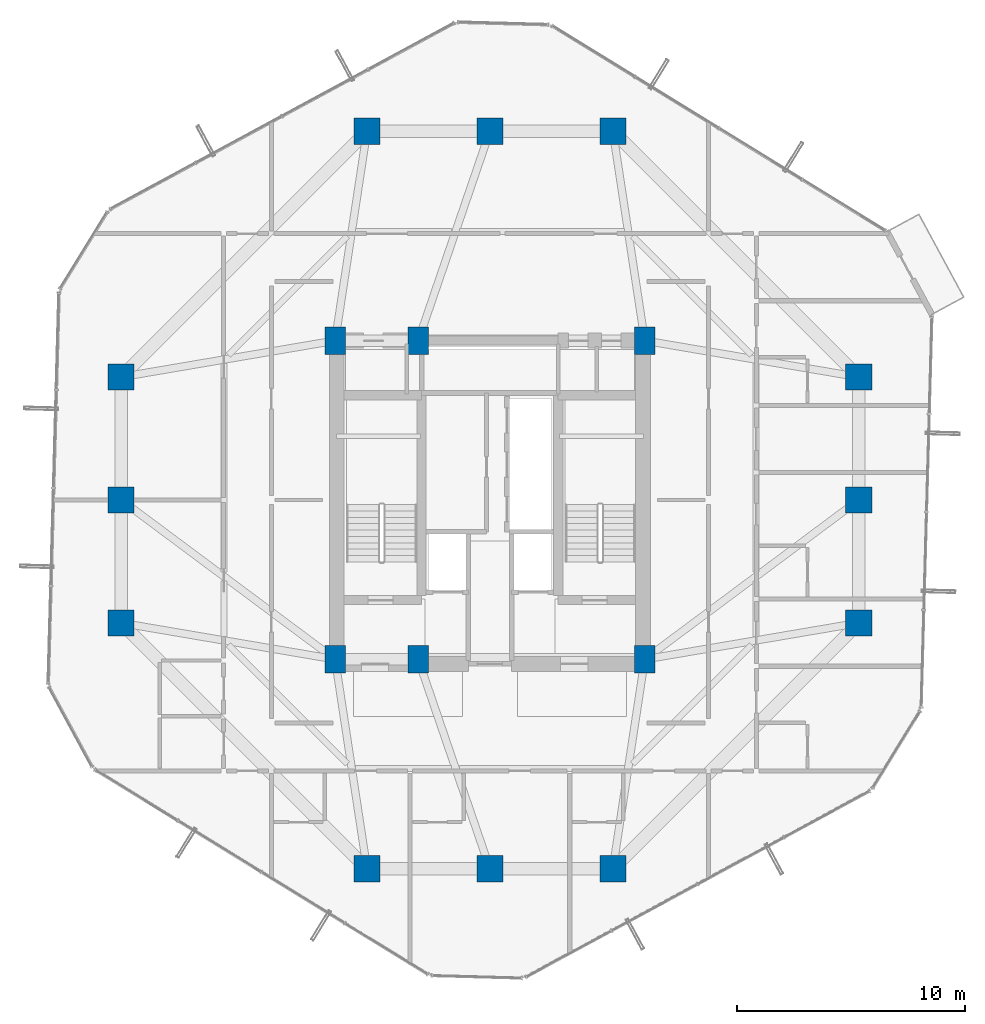
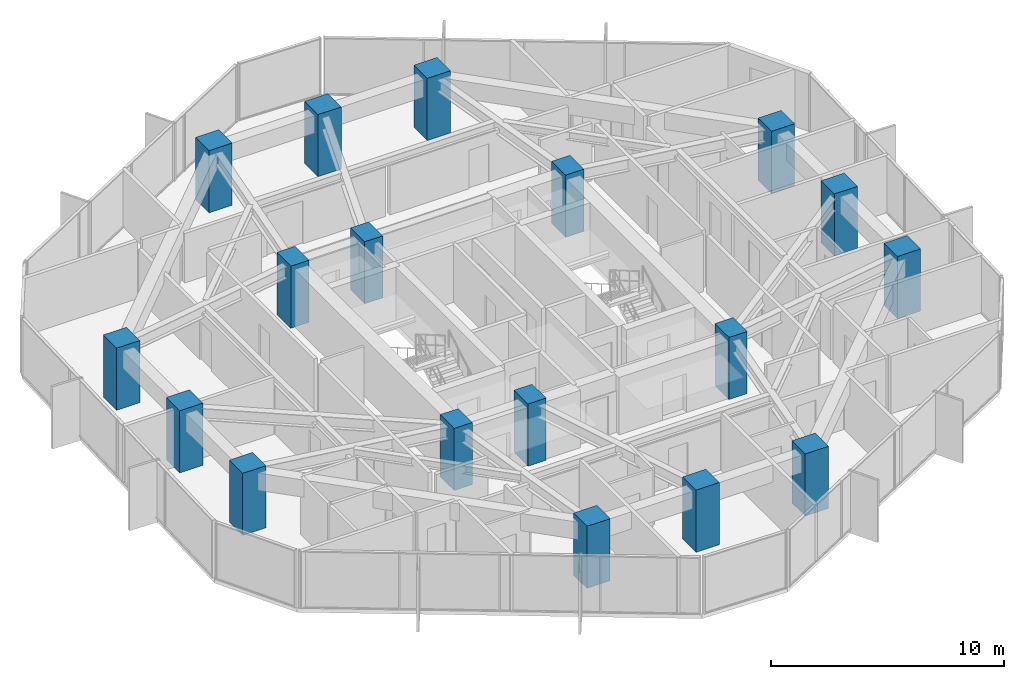
# One storey, part 1 of 30: 18 columns.
"""IFC4 building model written with IfcOpenShell, lengths in metres."""

from ifc_helpers import new_model, si_unit, direction, frame, origin, origin_2d, place, context, subcontext, project, spatial, rectangle, extrude, material, material_profile, profile_set, type_object, element, save


model = new_model("IFC4")

# Units and contexts
model_context = context("Model", 3, precision=1e-05, world=origin(), true_north=direction((0.0, 1.0)))
body_context = subcontext(model_context, "Body", "Model", "MODEL_VIEW")
ifc_project = project(units=[si_unit("LENGTHUNIT", "METRE"), si_unit("AREAUNIT", "SQUARE_METRE"), si_unit("VOLUMEUNIT", "CUBIC_METRE"), si_unit("PLANEANGLEUNIT", "RADIAN"), si_unit("MASSUNIT", "GRAM", prefix="KILO")], contexts=[model_context])

# Site, building, storey
site_placement = place(None, origin())
site = spatial("IfcSite", under=ifc_project, at=site_placement, CompositionType="ELEMENT")
building_placement = place(site_placement, origin())
building = spatial("IfcBuilding", under=site, at=building_placement, Name="Veraguas Prism Commons", CompositionType="ELEMENT")
storey_placement = place(building_placement, frame((0.0, 0.0, 123.0)))
storey = spatial("IfcBuildingStorey", under=building, at=storey_placement, Name="L34", CompositionType="ELEMENT", Elevation=123.0)

# Columns
ifc_material = material(Name="Concrete C60/75", Category="concrete")
ifc_material_profile_1 = material_profile(ifc_material, rectangle(XDim=1.14990234375, YDim=1.14990234375, at=origin_2d()), Name="RC1150X1150")
ifc_profile_set_1 = profile_set([ifc_material_profile_1], Name="Concrete C60/75")
column_type_1 = type_object("IfcColumnType", Name="Column Tube Z2 RC 1150x1150", PredefinedType="COLUMN", material=ifc_profile_set_1)
for number, where, z_axis, x_axis, name in (
    (1, (40.199951171875, 18.60009765625, 0.0), (0.0, 0.0, 1.0), (1.0, 0.0, 0.0), "Tower Perimeter Column L34-TB01"),
    (2, (40.199951171875, 24.0, 0.0), (0.0, 0.0, 1.0), (1.0, 0.0, 0.0), "Tower Perimeter Column L34-TB02"),
    (3, (40.199951171875, 29.39990234375, 0.0), (0.0, 0.0, 1.0), (1.0, 0.0, 0.0), "Tower Perimeter Column L34-TB03"),
    (4, (29.39990234375, 40.199951171875, 0.0), (0.0, 0.0, 1.0), (1.0, 0.0, 0.0), "Tower Perimeter Column L34-TB04"),
    (5, (24.0, 40.199951171875, 0.0), (0.0, 0.0, 1.0), (1.0, 0.0, 0.0), "Tower Perimeter Column L34-TB05"),
    (6, (18.60009765625, 40.199951171875, 0.0), (0.0, 0.0, 1.0), (1.0, 0.0, 0.0), "Tower Perimeter Column L34-TB06"),
    (7, (7.800048828125, 29.39990234375, 0.0), (0.0, 0.0, 1.0), (1.0, 0.0, 0.0), "Tower Perimeter Column L34-TB07"),
    (8, (7.800048828125, 24.0, 0.0), (0.0, 0.0, 1.0), (1.0, 0.0, 0.0), "Tower Perimeter Column L34-TB08"),
    (9, (7.800048828125, 18.60009765625, 0.0), (0.0, 0.0, 1.0), (1.0, 0.0, 0.0), "Tower Perimeter Column L34-TB09"),
    (10, (18.60009765625, 7.800048828125, 0.0), (0.0, 0.0, 1.0), (1.0, 0.0, 0.0), "Tower Perimeter Column L34-TB10"),
    (11, (24.0, 7.800048828125, 0.0), (0.0, 0.0, 1.0), (1.0, 0.0, 0.0), "Tower Perimeter Column L34-TB11"),
    (12, (29.39990234375, 7.800048828125, 0.0), (0.0, 0.0, 1.0), (1.0, 0.0, 0.0), "Tower Perimeter Column L34-TB12"),
):
    element("IfcColumn", number, at=place(storey_placement, frame(where, z_axis=z_axis, x_axis=x_axis)), inside=storey, type_object=column_type_1, Name=name, PredefinedType="COLUMN", context=body_context, shape_type="SweptSolid", body=[
        extrude(rectangle(XDim=1.14990234375, YDim=1.14990234375, at=origin_2d()), origin(), (0.0, 0.0, 1.0), 3.25),
    ])
ifc_material_profile_2 = material_profile(ifc_material, rectangle(XDim=0.89990234375, YDim=1.199951171875, at=origin_2d()), Name="RC900X1200")
ifc_profile_set_2 = profile_set([ifc_material_profile_2], Name="Concrete C60/75")
column_type_2 = type_object("IfcColumnType", Name="Pilaster Core Lower RC 900x1200", PredefinedType="PILASTER", material=ifc_profile_set_2)
for number, where, z_axis, x_axis, name in (
    (13, (17.199951171875, 17.0, 0.0), (0.0, 0.0, 1.0), (1.0, 0.0, 0.0), "Core Pilaster Column L34-CR1"),
    (14, (20.85009765625, 17.0, 0.0), (0.0, 0.0, 1.0), (1.0, 0.0, 0.0), "Core Pilaster Column L34-CR2"),
    (15, (30.800048828125, 17.0, 0.0), (0.0, 0.0, 1.0), (1.0, 0.0, 0.0), "Core Pilaster Column L34-CR3"),
    (16, (17.199951171875, 31.0, 0.0), (0.0, 0.0, 1.0), (1.0, 0.0, 0.0), "Core Pilaster Column L34-CR4"),
    (17, (20.85009765625, 31.0, 0.0), (0.0, 0.0, 1.0), (1.0, 0.0, 0.0), "Core Pilaster Column L34-CR5"),
    (18, (30.800048828125, 31.0, 0.0), (0.0, 0.0, 1.0), (1.0, 0.0, 0.0), "Core Pilaster Column L34-CR6"),
):
    element("IfcColumn", number, at=place(storey_placement, frame(where, z_axis=z_axis, x_axis=x_axis)), inside=storey, type_object=column_type_2, Name=name, PredefinedType="PILASTER", context=body_context, shape_type="SweptSolid", body=[
        extrude(rectangle(XDim=0.89990234375, YDim=1.199951171875, at=origin_2d()), origin(), (0.0, 0.0, 1.0), 3.25),
    ])

save(model, "model.ifc")
